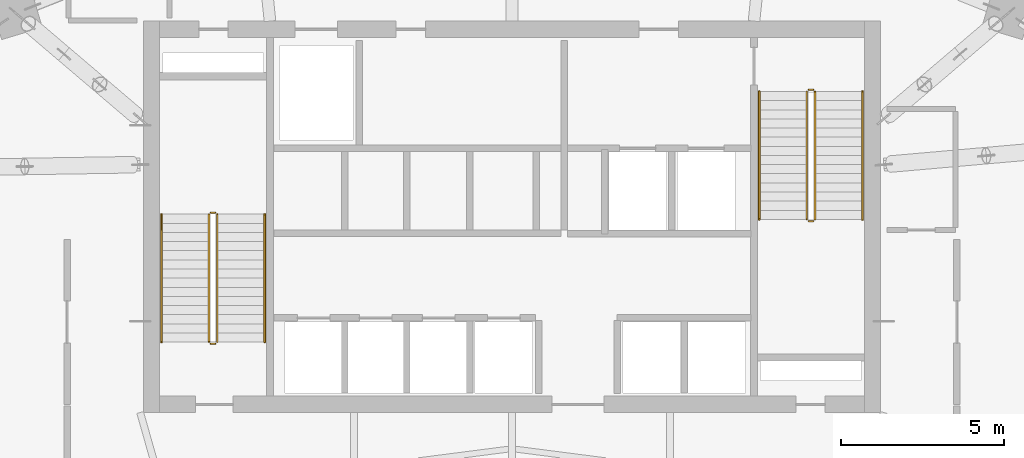
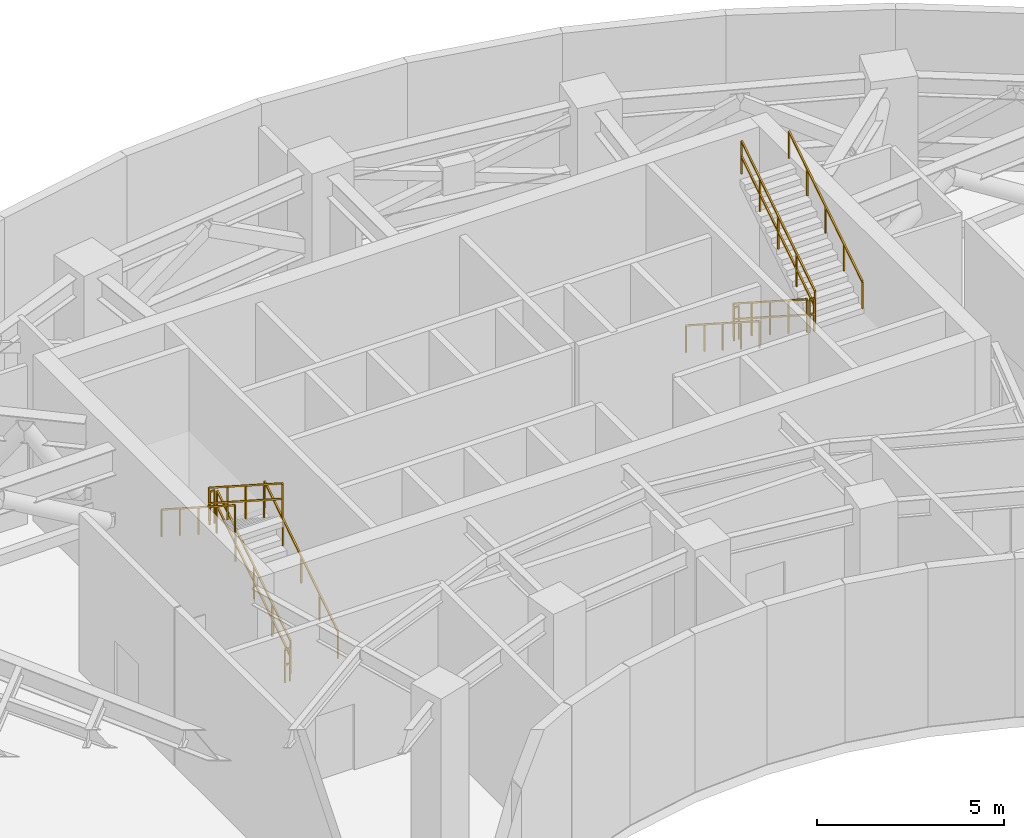
# One storey, part 10 of 10: 12 railings.
"""IFC4 building model written with IfcOpenShell, lengths in metres."""

import ifcopenshell
import ifcopenshell.guid

model = None  # the IFC model being written
_history = None  # IfcOwnerHistory: only IFC2X3 demands one
_inside = {}  # id of a spatial element -> (the spatial element, [elements in it])
_under = {}  # id of a project, library or spatial element -> (it, [spatial elements below it])
_declared = {}  # id of a project -> (the project, [libraries it declares])
_typed = {}  # id of a type object -> (the type object, [elements of that type])
_made_of = {}  # id of a material, layer set ... -> (it, [elements and type objects made of it])


def new_model(schema):
    """Start an empty IFC model of exactly this schema.

    Asked for "IFC4X3", IfcOpenShell would pick the latest addendum, in which some entities
    have other attributes; the version numbers below select the first issue.
    IFC2X3 requires an IfcOwnerHistory on every rooted entity: one is made here for all.
    """
    global model, _history
    if schema == "IFC4X3":
        model = ifcopenshell.file(schema_version=(4, 3, 0, 0))
    else:
        model = ifcopenshell.file(schema=schema)
    _inside.clear()
    _under.clear()
    _declared.clear()
    _typed.clear()
    _made_of.clear()
    _history = None
    if model.schema == "IFC2X3":
        org = make("IfcOrganization", Name="unknown")
        user = make(
            "IfcPersonAndOrganization",
            ThePerson=make("IfcPerson", FamilyName="unknown"),
            TheOrganization=org,
        )
        app = make(
            "IfcApplication",
            ApplicationDeveloper=org,
            Version="unknown",
            ApplicationFullName="unknown",
            ApplicationIdentifier="unknown",
        )
        _history = make(
            "IfcOwnerHistory",
            OwningUser=user,
            OwningApplication=app,
            ChangeAction="ADDED",
            CreationDate=0,
        )
    return model


def make(cls, **values):
    """One entity of the class cls with the attributes given. An attribute that is None is left unset."""
    return model.create_entity(
        cls, **{name: value for name, value in values.items() if value is not None}
    )


def rooted(cls, **values):
    """An entity with a GlobalId (a new one), such as an element, a storey or a relation."""
    return make(cls, GlobalId=ifcopenshell.guid.new(), OwnerHistory=_history, **values)


def si_unit(unit_type, name, prefix=None):
    """IfcSIUnit, for example si_unit("LENGTHUNIT", "METRE", prefix="MILLI")."""
    return make("IfcSIUnit", UnitType=unit_type, Prefix=prefix, Name=name)


def assignment(units):
    """IfcUnitAssignment: the units of a project."""
    return None if units is None else make("IfcUnitAssignment", Units=units)


def point(xyz):
    """IfcCartesianPoint."""
    return None if xyz is None else make("IfcCartesianPoint", Coordinates=xyz)


def direction(xyz):
    """IfcDirection."""
    return None if xyz is None else make("IfcDirection", DirectionRatios=xyz)


def frame(location, z_axis=None, x_axis=None):
    """IfcAxis2Placement3D, a coordinate frame: its origin and axes. An axis left out is left unset."""
    return make(
        "IfcAxis2Placement3D",
        Location=point(location),
        Axis=direction(z_axis),
        RefDirection=direction(x_axis),
    )


def frame_2d(location, x_axis=None):
    """IfcAxis2Placement2D, a coordinate frame in the plane: its origin and x axis."""
    return make(
        "IfcAxis2Placement2D", Location=point(location), RefDirection=direction(x_axis)
    )


def origin():
    """The frame at (0, 0, 0) with its axes left unset."""
    return frame((0.0, 0.0, 0.0))


def origin_2d():
    """The frame at (0, 0) in the plane with its x axis left unset."""
    return frame_2d((0.0, 0.0))


def place(relative_to, where):
    """IfcLocalPlacement: puts the frame where relative to a parent placement (None: the world)."""
    return make(
        "IfcLocalPlacement", PlacementRelTo=relative_to, RelativePlacement=where
    )


def context(
    kind, dimensions, precision=None, world=None, true_north=None, identifier=None
):
    """IfcGeometricRepresentationContext, for example the 3D "Model" context."""
    return make(
        "IfcGeometricRepresentationContext",
        ContextIdentifier=identifier,
        ContextType=kind,
        CoordinateSpaceDimension=dimensions,
        Precision=precision,
        WorldCoordinateSystem=world,
        TrueNorth=true_north,
    )


def subcontext(parent, identifier, kind, view, scale=None):
    """IfcGeometricRepresentationSubContext, for example "Body" below "Model"."""
    return make(
        "IfcGeometricRepresentationSubContext",
        ContextIdentifier=identifier,
        ContextType=kind,
        ParentContext=parent,
        TargetScale=scale,
        TargetView=view,
    )


def project(units=None, contexts=None):
    """IfcProject with its units and contexts."""
    return rooted(
        "IfcProject",
        Name="project",
        RepresentationContexts=contexts,
        UnitsInContext=assignment(units),
    )


def spatial(cls, under=None, at=None, **own):
    """A site, building, storey or space (cls), placed at a placement, below another one or the project."""
    s = rooted(cls, ObjectPlacement=at, **own)
    if under is not None:
        _under.setdefault(under.id(), (under, []))[1].append(s)
    return s


def profile(cls, at=None, kind="AREA", **sizes):
    """A parametric profile (cls). Its sizes go by their IFC names, for example OverallWidth=200.0."""
    return make(cls, ProfileType=kind, Position=at, **sizes)


def rectangle(**sizes):
    """IfcRectangleProfileDef."""
    return profile("IfcRectangleProfileDef", **sizes)


def extrude(swept, where, along, depth):
    """IfcExtrudedAreaSolid: the profile swept, set in the frame where, extruded along a direction by depth."""
    return make(
        "IfcExtrudedAreaSolid",
        SweptArea=swept,
        Position=where,
        ExtrudedDirection=direction(along),
        Depth=depth,
    )


def shape(context_of_items, identifier, shape_type, items):
    """IfcShapeRepresentation: the items that make up one representation, for example the "Body"."""
    return make(
        "IfcShapeRepresentation",
        ContextOfItems=context_of_items,
        RepresentationIdentifier=identifier,
        RepresentationType=shape_type,
        Items=items,
    )


def material(Name=None, Category=None):
    """IfcMaterial."""
    return make("IfcMaterial", Name=Name, Category=Category)


def made_of(thing, what):
    """Note that an element or type object is made of a material, layer set ...; save() writes the relation."""
    if what is not None:
        _made_of.setdefault(what.id(), (what, []))[1].append(thing)
    return thing


def type_object(cls, material=None, **own):
    """A type object (cls), such as IfcWallType, which elements share."""
    return made_of(rooted(cls, **own), material)


def element(
    cls,
    number,
    at=None,
    inside=None,
    cuts=None,
    type_object=None,
    material=None,
    context=None,
    identifier="Body",
    shape_type=None,
    held_by="IfcProductDefinitionShape",
    body=None,
    shapes=None,
    **own,
):
    """One element of the class cls, such as IfcWall. Its Tag is "e" and its number.

    at: its placement. inside: the storey or other place that contains it. cuts: it is an
    opening in that element (IfcRelVoidsElement). A single representation is given by context,
    identifier, shape_type and body (its items); several are given by shapes. held_by: the class
    of the entity that holds the representations. save() writes the other relations.
    """
    e = rooted(cls, Tag="e%d" % number, ObjectPlacement=at, **own)
    if body is not None:
        shapes = [shape(context, identifier, shape_type, body)]
    if shapes is not None:
        e.Representation = make(held_by, Representations=shapes)
    if inside is not None:
        _inside.setdefault(inside.id(), (inside, []))[1].append(e)
    if cuts is not None:
        rooted(
            "IfcRelVoidsElement", RelatingBuildingElement=cuts, RelatedOpeningElement=e
        )
    if type_object is not None:
        _typed.setdefault(type_object.id(), (type_object, []))[1].append(e)
    return made_of(e, material)


def aggregate(whole, parts):
    """IfcRelAggregates: a whole, such as a stair, and the parts it consists of."""
    return rooted("IfcRelAggregates", RelatingObject=whole, RelatedObjects=parts)


def save(model, path):
    """Write the relations noted so far, then the file.

    IfcRelAggregates (storeys below a building ...), IfcRelContainedInSpatialStructure (elements
    in a storey), IfcRelDefinesByType, IfcRelAssociatesMaterial and IfcRelDeclares: one each for
    every whole, place, type object, material and project.
    """
    for whole, parts in _under.values():
        aggregate(whole, parts)
    for where, things in _inside.values():
        rooted(
            "IfcRelContainedInSpatialStructure",
            RelatedElements=things,
            RelatingStructure=where,
        )
    for kind, things in _typed.values():
        rooted("IfcRelDefinesByType", RelatedObjects=things, RelatingType=kind)
    for what, things in _made_of.values():
        rooted("IfcRelAssociatesMaterial", RelatedObjects=things, RelatingMaterial=what)
    for by, libraries in _declared.values():
        rooted("IfcRelDeclares", RelatingContext=by, RelatedDefinitions=libraries)
    model.write(path)


model = new_model("IFC4")

# Units and contexts
model_context = context("Model", 3, precision=1e-05, world=origin(), true_north=direction((0.0, 1.0)))
body_context = subcontext(model_context, "Body", "Model", "MODEL_VIEW")
ifc_project = project(units=[si_unit("LENGTHUNIT", "METRE"), si_unit("AREAUNIT", "SQUARE_METRE"), si_unit("VOLUMEUNIT", "CUBIC_METRE"), si_unit("PLANEANGLEUNIT", "RADIAN"), si_unit("MASSUNIT", "GRAM", prefix="KILO")], contexts=[model_context])

# Site, building, storey
site_placement = place(None, origin())
site = spatial("IfcSite", under=ifc_project, at=site_placement, CompositionType="ELEMENT")
building_placement = place(site_placement, origin())
building = spatial("IfcBuilding", under=site, at=building_placement, Name="Breltana Convention Tower", CompositionType="ELEMENT")
storey_placement = place(building_placement, frame((0.0, 0.0, 85.800048828125)))
storey = spatial("IfcBuildingStorey", under=building, at=storey_placement, Name="L20", CompositionType="ELEMENT", Elevation=85.800048828125)

# Railings
ifc_material_1 = material(Name="Steel S275 Painted", Category="steel")
railing_type_1 = type_object("IfcRailingType", Name="RL-STAIR-GUARD-1100", PredefinedType="GUARDRAIL", material=ifc_material_1)
railing_1_placement = place(storey_placement, frame((38.9599609375, 62.360107421875, 0.179931640625)))
element("IfcRailing", 1, at=railing_1_placement, inside=storey, type_object=railing_type_1, Name="L20 ST-1 stair guard 1", PredefinedType="GUARDRAIL", context=body_context, shape_type="SweptSolid", body=[
    extrude(rectangle(XDim=0.048095703125, YDim=0.048095703125, at=origin_2d()), frame((0.0, 0.0, 1.076171875), z_axis=(0.0, 0.841171666519, 0.540768182723), x_axis=(-1.0, 0.0, 0.0)), (0.0, 0.0, 1.0), 4.66015625),
    extrude(rectangle(XDim=0.048095703125, YDim=0.048095703125, at=origin_2d()), frame((0.0, 0.0, 0.572021484375), z_axis=(0.0, 0.841171666519, 0.540768182723), x_axis=(-1.0, 0.0, 0.0)), (0.0, 0.0, 1.0), 4.66015625),
    extrude(rectangle(XDim=0.0419921875, YDim=0.0419921875, at=origin_2d()), origin(), (0.0, 0.0, 1.0), 1.052001953125),
    extrude(rectangle(XDim=0.0419921875, YDim=0.0419921875, at=origin_2d()), frame((0.0, 0.97998046875, 0.6298828125)), (0.0, 0.0, 1.0), 1.052001953125),
    extrude(rectangle(XDim=0.0419921875, YDim=0.0419921875, at=origin_2d()), frame((0.0, 1.9599609375, 1.260009765625)), (0.0, 0.0, 1.0), 1.052001953125),
    extrude(rectangle(XDim=0.0419921875, YDim=0.0419921875, at=origin_2d()), frame((0.0, 2.93994140625, 1.89013671875)), (0.0, 0.0, 1.0), 1.052001953125),
    extrude(rectangle(XDim=0.0419921875, YDim=0.0419921875, at=origin_2d()), frame((0.0, 3.919921875, 2.52001953125)), (0.0, 0.0, 1.0), 1.052001953125),
])
railing_2_placement = place(storey_placement, frame((38.909912109375, 66.330078125, 2.699951171875)))
element("IfcRailing", 2, at=railing_2_placement, inside=storey, type_object=railing_type_1, Name="L20 ST-1 stair guard 2", PredefinedType="GUARDRAIL", context=body_context, shape_type="SweptSolid", body=[
    extrude(rectangle(XDim=0.048095703125, YDim=0.048095703125, at=origin_2d()), frame((0.0, 0.0, 1.076171875), z_axis=(-1.0, 0.0, 0.0), x_axis=(0.0, -1.0, 0.0)), (0.0, 0.0, 1.0), 0.14990234375),
    extrude(rectangle(XDim=0.048095703125, YDim=0.048095703125, at=origin_2d()), frame((0.0, 0.0, 0.572021484375), z_axis=(-1.0, 0.0, 0.0), x_axis=(0.0, -1.0, 0.0)), (0.0, 0.0, 1.0), 0.14990234375),
    extrude(rectangle(XDim=0.0419921875, YDim=0.0419921875, at=origin_2d()), origin(), (0.0, 0.0, 1.0), 1.052001953125),
    extrude(rectangle(XDim=0.0419921875, YDim=0.0419921875, at=origin_2d()), frame((-0.14990234375, 0.0, 0.0)), (0.0, 0.0, 1.0), 1.052001953125),
])
railing_3_placement = place(storey_placement, frame((38.7099609375, 66.280029296875, 2.8798828125)))
element("IfcRailing", 3, at=railing_3_placement, inside=storey, type_object=railing_type_1, Name="L20 ST-1 stair guard 3", PredefinedType="GUARDRAIL", context=body_context, shape_type="SweptSolid", body=[
    extrude(rectangle(XDim=0.048095703125, YDim=0.048095703125, at=origin_2d()), frame((0.0, 0.0, 1.076171875), z_axis=(0.0, -0.841171666519, 0.540768182723), x_axis=(1.0, 0.0, 0.0)), (0.0, 0.0, 1.0), 4.66015625),
    extrude(rectangle(XDim=0.048095703125, YDim=0.048095703125, at=origin_2d()), frame((0.0, 0.0, 0.572021484375), z_axis=(0.0, -0.841171666519, 0.540768182723), x_axis=(1.0, 0.0, 0.0)), (0.0, 0.0, 1.0), 4.66015625),
    extrude(rectangle(XDim=0.0419921875, YDim=0.0419921875, at=origin_2d()), origin(), (0.0, 0.0, 1.0), 1.052001953125),
    extrude(rectangle(XDim=0.0419921875, YDim=0.0419921875, at=origin_2d()), frame((0.0, -0.97998046875, 0.6298828125)), (0.0, 0.0, 1.0), 1.052001953125),
    extrude(rectangle(XDim=0.0419921875, YDim=0.0419921875, at=origin_2d()), frame((0.0, -1.9599609375, 1.260009765625)), (0.0, 0.0, 1.0), 1.052001953125),
    extrude(rectangle(XDim=0.0419921875, YDim=0.0419921875, at=origin_2d()), frame((0.0, -2.93994140625, 1.89013671875)), (0.0, 0.0, 1.0), 1.052001953125),
    extrude(rectangle(XDim=0.0419921875, YDim=0.0419921875, at=origin_2d()), frame((0.0, -3.919921875, 2.52001953125)), (0.0, 0.0, 1.0), 1.052001953125),
])
railing_4_placement = place(storey_placement, frame((38.909912109375, 62.31005859375, 0.0)))
element("IfcRailing", 4, at=railing_4_placement, inside=storey, type_object=railing_type_1, Name="L20 ST-1 stair guard 4", PredefinedType="GUARDRAIL", context=body_context, shape_type="SweptSolid", body=[
    extrude(rectangle(XDim=0.048095703125, YDim=0.048095703125, at=origin_2d()), frame((0.0, 0.0, 1.076171875), z_axis=(-1.0, 0.0, 0.0), x_axis=(0.0, -1.0, 0.0)), (0.0, 0.0, 1.0), 0.14990234375),
    extrude(rectangle(XDim=0.048095703125, YDim=0.048095703125, at=origin_2d()), frame((0.0, 0.0, 0.572021484375), z_axis=(-1.0, 0.0, 0.0), x_axis=(0.0, -1.0, 0.0)), (0.0, 0.0, 1.0), 0.14990234375),
    extrude(rectangle(XDim=0.0419921875, YDim=0.0419921875, at=origin_2d()), origin(), (0.0, 0.0, 1.0), 1.052001953125),
    extrude(rectangle(XDim=0.0419921875, YDim=0.0419921875, at=origin_2d()), frame((-0.14990234375, 0.0, 0.0)), (0.0, 0.0, 1.0), 1.052001953125),
])
railing_5_placement = place(storey_placement, frame((57.0400390625, 70.0400390625, 0.179931640625)))
element("IfcRailing", 5, at=railing_5_placement, inside=storey, type_object=railing_type_1, Name="L20 ST-2 stair guard 1", PredefinedType="GUARDRAIL", context=body_context, shape_type="SweptSolid", body=[
    extrude(rectangle(XDim=0.048095703125, YDim=0.048095703125, at=origin_2d()), frame((0.0, 0.0, 1.076171875), z_axis=(0.0, -0.841171666519, 0.540768182723), x_axis=(1.0, 0.0, 0.0)), (0.0, 0.0, 1.0), 4.66015625),
    extrude(rectangle(XDim=0.048095703125, YDim=0.048095703125, at=origin_2d()), frame((0.0, 0.0, 0.572021484375), z_axis=(0.0, -0.841171666519, 0.540768182723), x_axis=(1.0, 0.0, 0.0)), (0.0, 0.0, 1.0), 4.66015625),
    extrude(rectangle(XDim=0.0419921875, YDim=0.0419921875, at=origin_2d()), origin(), (0.0, 0.0, 1.0), 1.052001953125),
    extrude(rectangle(XDim=0.0419921875, YDim=0.0419921875, at=origin_2d()), frame((0.0, -0.97998046875, 0.6298828125)), (0.0, 0.0, 1.0), 1.052001953125),
    extrude(rectangle(XDim=0.0419921875, YDim=0.0419921875, at=origin_2d()), frame((0.0, -1.9599609375, 1.260009765625)), (0.0, 0.0, 1.0), 1.052001953125),
    extrude(rectangle(XDim=0.0419921875, YDim=0.0419921875, at=origin_2d()), frame((0.0, -2.93994140625, 1.89013671875)), (0.0, 0.0, 1.0), 1.052001953125),
    extrude(rectangle(XDim=0.0419921875, YDim=0.0419921875, at=origin_2d()), frame((0.0, -3.919921875, 2.52001953125)), (0.0, 0.0, 1.0), 1.052001953125),
])
railing_6_placement = place(storey_placement, frame((57.090087890625, 66.070068359375, 2.699951171875)))
element("IfcRailing", 6, at=railing_6_placement, inside=storey, type_object=railing_type_1, Name="L20 ST-2 stair guard 2", PredefinedType="GUARDRAIL", context=body_context, shape_type="SweptSolid", body=[
    extrude(rectangle(XDim=0.048095703125, YDim=0.048095703125, at=origin_2d()), frame((0.0, 0.0, 1.076171875), z_axis=(1.0, 0.0, 0.0), x_axis=(0.0, 1.0, 0.0)), (0.0, 0.0, 1.0), 0.14990234375),
    extrude(rectangle(XDim=0.048095703125, YDim=0.048095703125, at=origin_2d()), frame((0.0, 0.0, 0.572021484375), z_axis=(1.0, 0.0, 0.0), x_axis=(0.0, 1.0, 0.0)), (0.0, 0.0, 1.0), 0.14990234375),
    extrude(rectangle(XDim=0.0419921875, YDim=0.0419921875, at=origin_2d()), origin(), (0.0, 0.0, 1.0), 1.052001953125),
    extrude(rectangle(XDim=0.0419921875, YDim=0.0419921875, at=origin_2d()), frame((0.14990234375, 0.0, 0.0)), (0.0, 0.0, 1.0), 1.052001953125),
])
railing_7_placement = place(storey_placement, frame((57.2900390625, 66.1201171875, 2.8798828125)))
element("IfcRailing", 7, at=railing_7_placement, inside=storey, type_object=railing_type_1, Name="L20 ST-2 stair guard 3", PredefinedType="GUARDRAIL", context=body_context, shape_type="SweptSolid", body=[
    extrude(rectangle(XDim=0.048095703125, YDim=0.048095703125, at=origin_2d()), frame((0.0, 0.0, 1.076171875), z_axis=(0.0, 0.841171666519, 0.540768182723), x_axis=(-1.0, 0.0, 0.0)), (0.0, 0.0, 1.0), 4.66015625),
    extrude(rectangle(XDim=0.048095703125, YDim=0.048095703125, at=origin_2d()), frame((0.0, 0.0, 0.572021484375), z_axis=(0.0, 0.841171666519, 0.540768182723), x_axis=(-1.0, 0.0, 0.0)), (0.0, 0.0, 1.0), 4.66015625),
    extrude(rectangle(XDim=0.0419921875, YDim=0.0419921875, at=origin_2d()), origin(), (0.0, 0.0, 1.0), 1.052001953125),
    extrude(rectangle(XDim=0.0419921875, YDim=0.0419921875, at=origin_2d()), frame((0.0, 0.97998046875, 0.6298828125)), (0.0, 0.0, 1.0), 1.052001953125),
    extrude(rectangle(XDim=0.0419921875, YDim=0.0419921875, at=origin_2d()), frame((0.0, 1.9599609375, 1.260009765625)), (0.0, 0.0, 1.0), 1.052001953125),
    extrude(rectangle(XDim=0.0419921875, YDim=0.0419921875, at=origin_2d()), frame((0.0, 2.93994140625, 1.89013671875)), (0.0, 0.0, 1.0), 1.052001953125),
    extrude(rectangle(XDim=0.0419921875, YDim=0.0419921875, at=origin_2d()), frame((0.0, 3.919921875, 2.52001953125)), (0.0, 0.0, 1.0), 1.052001953125),
])
railing_8_placement = place(storey_placement, frame((57.090087890625, 70.090087890625, 0.0)))
element("IfcRailing", 8, at=railing_8_placement, inside=storey, type_object=railing_type_1, Name="L20 ST-2 stair guard 4", PredefinedType="GUARDRAIL", context=body_context, shape_type="SweptSolid", body=[
    extrude(rectangle(XDim=0.048095703125, YDim=0.048095703125, at=origin_2d()), frame((0.0, 0.0, 1.076171875), z_axis=(1.0, 0.0, 0.0), x_axis=(0.0, 1.0, 0.0)), (0.0, 0.0, 1.0), 0.14990234375),
    extrude(rectangle(XDim=0.048095703125, YDim=0.048095703125, at=origin_2d()), frame((0.0, 0.0, 0.572021484375), z_axis=(1.0, 0.0, 0.0), x_axis=(0.0, 1.0, 0.0)), (0.0, 0.0, 1.0), 0.14990234375),
    extrude(rectangle(XDim=0.0419921875, YDim=0.0419921875, at=origin_2d()), origin(), (0.0, 0.0, 1.0), 1.052001953125),
    extrude(rectangle(XDim=0.0419921875, YDim=0.0419921875, at=origin_2d()), frame((0.14990234375, 0.0, 0.0)), (0.0, 0.0, 1.0), 1.052001953125),
])
ifc_material_2 = material(Name="Stainless Steel 316L", Category="steel")
railing_type_2 = type_object("IfcRailingType", Name="RL-STAIR-HANDRAIL-900", PredefinedType="HANDRAIL", material=ifc_material_2)
railing_9_placement = place(storey_placement, frame((40.419921875, 62.360107421875, 0.179931640625)))
element("IfcRailing", 9, at=railing_9_placement, inside=storey, type_object=railing_type_2, Name="L20 ST-1 stair handrail 1", PredefinedType="HANDRAIL", context=body_context, shape_type="SweptSolid", body=[
    extrude(rectangle(XDim=0.048095703125, YDim=0.048095703125, at=origin_2d()), frame((0.0, 0.0, 0.8759765625), z_axis=(0.0, 0.841171666519, 0.540768182723), x_axis=(-1.0, 0.0, 0.0)), (0.0, 0.0, 1.0), 4.66015625),
    extrude(rectangle(XDim=0.0419921875, YDim=0.0419921875, at=origin_2d()), origin(), (0.0, 0.0, 1.0), 0.851806640625),
    extrude(rectangle(XDim=0.0419921875, YDim=0.0419921875, at=origin_2d()), frame((0.0, 0.97998046875, 0.6298828125)), (0.0, 0.0, 1.0), 0.851806640625),
    extrude(rectangle(XDim=0.0419921875, YDim=0.0419921875, at=origin_2d()), frame((0.0, 1.9599609375, 1.260009765625)), (0.0, 0.0, 1.0), 0.851806640625),
    extrude(rectangle(XDim=0.0419921875, YDim=0.0419921875, at=origin_2d()), frame((0.0, 2.93994140625, 1.89013671875)), (0.0, 0.0, 1.0), 0.851806640625),
    extrude(rectangle(XDim=0.0419921875, YDim=0.0419921875, at=origin_2d()), frame((0.0, 3.919921875, 2.52001953125)), (0.0, 0.0, 1.0), 0.851806640625),
])
for number, where, name in (
    (10, (37.25, 66.280029296875, 2.8798828125), "L20 ST-1 stair handrail 2"),
    (11, (55.580078125, 70.0400390625, 0.179931640625), "L20 ST-2 stair handrail 1"),
):
    element("IfcRailing", number, at=place(storey_placement, frame(where)), inside=storey, type_object=railing_type_2, Name=name, PredefinedType="HANDRAIL", context=body_context, shape_type="SweptSolid", body=[
        extrude(rectangle(XDim=0.048095703125, YDim=0.048095703125, at=origin_2d()), frame((0.0, 0.0, 0.8759765625), z_axis=(0.0, -0.841171666519, 0.540768182723), x_axis=(1.0, 0.0, 0.0)), (0.0, 0.0, 1.0), 4.66015625),
        extrude(rectangle(XDim=0.0419921875, YDim=0.0419921875, at=origin_2d()), origin(), (0.0, 0.0, 1.0), 0.851806640625),
        extrude(rectangle(XDim=0.0419921875, YDim=0.0419921875, at=origin_2d()), frame((0.0, -0.97998046875, 0.6298828125)), (0.0, 0.0, 1.0), 0.851806640625),
        extrude(rectangle(XDim=0.0419921875, YDim=0.0419921875, at=origin_2d()), frame((0.0, -1.9599609375, 1.260009765625)), (0.0, 0.0, 1.0), 0.851806640625),
        extrude(rectangle(XDim=0.0419921875, YDim=0.0419921875, at=origin_2d()), frame((0.0, -2.93994140625, 1.89013671875)), (0.0, 0.0, 1.0), 0.851806640625),
        extrude(rectangle(XDim=0.0419921875, YDim=0.0419921875, at=origin_2d()), frame((0.0, -3.919921875, 2.52001953125)), (0.0, 0.0, 1.0), 0.851806640625),
    ])
railing_10_placement = place(storey_placement, frame((58.75, 66.1201171875, 2.8798828125)))
element("IfcRailing", 12, at=railing_10_placement, inside=storey, type_object=railing_type_2, Name="L20 ST-2 stair handrail 2", PredefinedType="HANDRAIL", context=body_context, shape_type="SweptSolid", body=[
    extrude(rectangle(XDim=0.048095703125, YDim=0.048095703125, at=origin_2d()), frame((0.0, 0.0, 0.8759765625), z_axis=(0.0, 0.841171666519, 0.540768182723), x_axis=(-1.0, 0.0, 0.0)), (0.0, 0.0, 1.0), 4.66015625),
    extrude(rectangle(XDim=0.0419921875, YDim=0.0419921875, at=origin_2d()), origin(), (0.0, 0.0, 1.0), 0.851806640625),
    extrude(rectangle(XDim=0.0419921875, YDim=0.0419921875, at=origin_2d()), frame((0.0, 0.97998046875, 0.6298828125)), (0.0, 0.0, 1.0), 0.851806640625),
    extrude(rectangle(XDim=0.0419921875, YDim=0.0419921875, at=origin_2d()), frame((0.0, 1.9599609375, 1.260009765625)), (0.0, 0.0, 1.0), 0.851806640625),
    extrude(rectangle(XDim=0.0419921875, YDim=0.0419921875, at=origin_2d()), frame((0.0, 2.93994140625, 1.89013671875)), (0.0, 0.0, 1.0), 0.851806640625),
    extrude(rectangle(XDim=0.0419921875, YDim=0.0419921875, at=origin_2d()), frame((0.0, 3.919921875, 2.52001953125)), (0.0, 0.0, 1.0), 0.851806640625),
])

save(model, "model.ifc")
